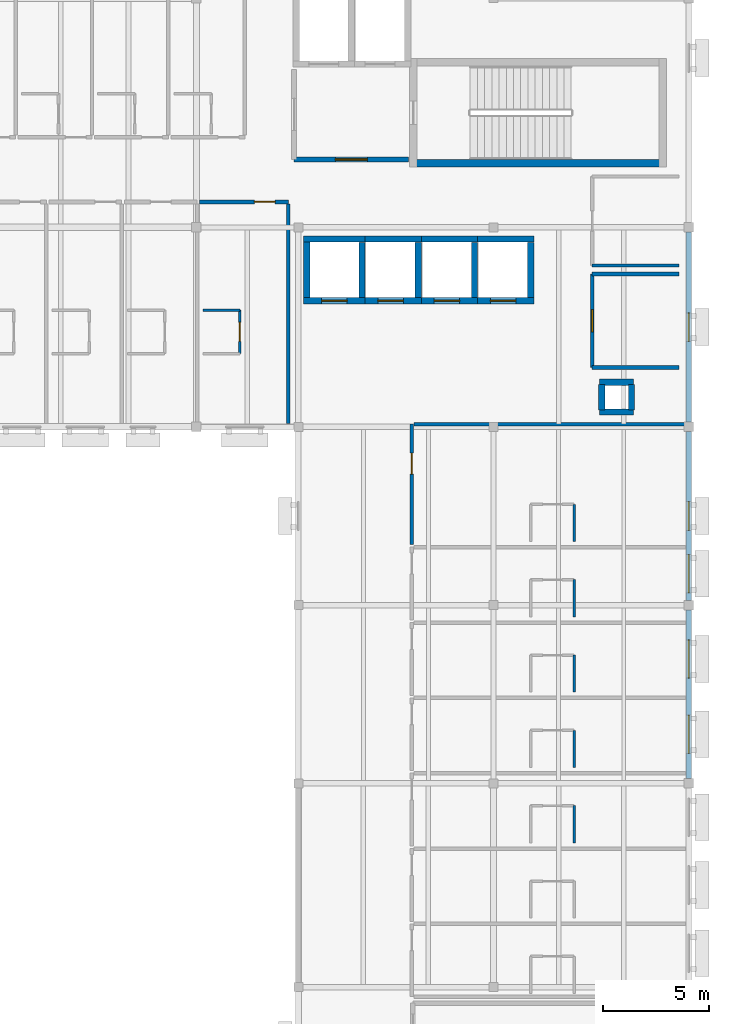
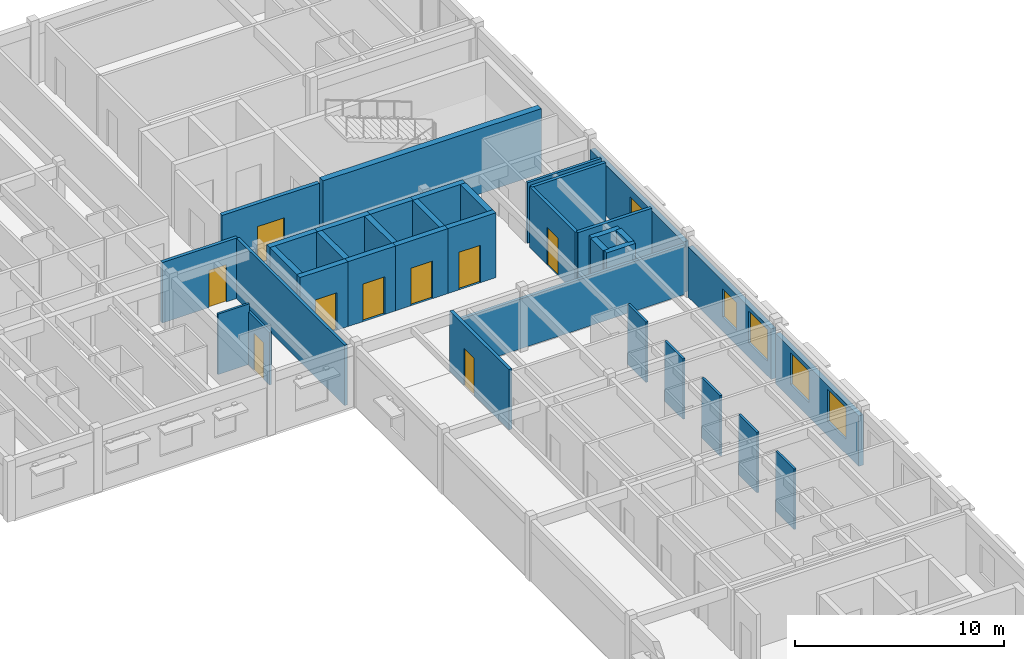
# One storey, part 8 of 14: 37 walls, 9 doors, 5 windows, 14 openings.
"""IFC4 building model written with IfcOpenShell, lengths in metres."""

import ifcopenshell
import ifcopenshell.guid

model = None  # the IFC model being written
_history = None  # IfcOwnerHistory: only IFC2X3 demands one
_inside = {}  # id of a spatial element -> (the spatial element, [elements in it])
_under = {}  # id of a project, library or spatial element -> (it, [spatial elements below it])
_declared = {}  # id of a project -> (the project, [libraries it declares])
_typed = {}  # id of a type object -> (the type object, [elements of that type])
_made_of = {}  # id of a material, layer set ... -> (it, [elements and type objects made of it])


def new_model(schema):
    """Start an empty IFC model of exactly this schema.

    Asked for "IFC4X3", IfcOpenShell would pick the latest addendum, in which some entities
    have other attributes; the version numbers below select the first issue.
    IFC2X3 requires an IfcOwnerHistory on every rooted entity: one is made here for all.
    """
    global model, _history
    if schema == "IFC4X3":
        model = ifcopenshell.file(schema_version=(4, 3, 0, 0))
    else:
        model = ifcopenshell.file(schema=schema)
    _inside.clear()
    _under.clear()
    _declared.clear()
    _typed.clear()
    _made_of.clear()
    _history = None
    if model.schema == "IFC2X3":
        org = make("IfcOrganization", Name="unknown")
        user = make(
            "IfcPersonAndOrganization",
            ThePerson=make("IfcPerson", FamilyName="unknown"),
            TheOrganization=org,
        )
        app = make(
            "IfcApplication",
            ApplicationDeveloper=org,
            Version="unknown",
            ApplicationFullName="unknown",
            ApplicationIdentifier="unknown",
        )
        _history = make(
            "IfcOwnerHistory",
            OwningUser=user,
            OwningApplication=app,
            ChangeAction="ADDED",
            CreationDate=0,
        )
    return model


def make(cls, **values):
    """One entity of the class cls with the attributes given. An attribute that is None is left unset."""
    return model.create_entity(
        cls, **{name: value for name, value in values.items() if value is not None}
    )


def rooted(cls, **values):
    """An entity with a GlobalId (a new one), such as an element, a storey or a relation."""
    return make(cls, GlobalId=ifcopenshell.guid.new(), OwnerHistory=_history, **values)


def si_unit(unit_type, name, prefix=None):
    """IfcSIUnit, for example si_unit("LENGTHUNIT", "METRE", prefix="MILLI")."""
    return make("IfcSIUnit", UnitType=unit_type, Prefix=prefix, Name=name)


def assignment(units):
    """IfcUnitAssignment: the units of a project."""
    return None if units is None else make("IfcUnitAssignment", Units=units)


def point(xyz):
    """IfcCartesianPoint."""
    return None if xyz is None else make("IfcCartesianPoint", Coordinates=xyz)


def direction(xyz):
    """IfcDirection."""
    return None if xyz is None else make("IfcDirection", DirectionRatios=xyz)


def frame(location, z_axis=None, x_axis=None):
    """IfcAxis2Placement3D, a coordinate frame: its origin and axes. An axis left out is left unset."""
    return make(
        "IfcAxis2Placement3D",
        Location=point(location),
        Axis=direction(z_axis),
        RefDirection=direction(x_axis),
    )


def frame_2d(location, x_axis=None):
    """IfcAxis2Placement2D, a coordinate frame in the plane: its origin and x axis."""
    return make(
        "IfcAxis2Placement2D", Location=point(location), RefDirection=direction(x_axis)
    )


def origin():
    """The frame at (0, 0, 0) with its axes left unset."""
    return frame((0.0, 0.0, 0.0))


def place(relative_to, where):
    """IfcLocalPlacement: puts the frame where relative to a parent placement (None: the world)."""
    return make(
        "IfcLocalPlacement", PlacementRelTo=relative_to, RelativePlacement=where
    )


def context(
    kind, dimensions, precision=None, world=None, true_north=None, identifier=None
):
    """IfcGeometricRepresentationContext, for example the 3D "Model" context."""
    return make(
        "IfcGeometricRepresentationContext",
        ContextIdentifier=identifier,
        ContextType=kind,
        CoordinateSpaceDimension=dimensions,
        Precision=precision,
        WorldCoordinateSystem=world,
        TrueNorth=true_north,
    )


def subcontext(parent, identifier, kind, view, scale=None):
    """IfcGeometricRepresentationSubContext, for example "Body" below "Model"."""
    return make(
        "IfcGeometricRepresentationSubContext",
        ContextIdentifier=identifier,
        ContextType=kind,
        ParentContext=parent,
        TargetScale=scale,
        TargetView=view,
    )


def project(units=None, contexts=None):
    """IfcProject with its units and contexts."""
    return rooted(
        "IfcProject",
        Name="project",
        RepresentationContexts=contexts,
        UnitsInContext=assignment(units),
    )


def spatial(cls, under=None, at=None, **own):
    """A site, building, storey or space (cls), placed at a placement, below another one or the project."""
    s = rooted(cls, ObjectPlacement=at, **own)
    if under is not None:
        _under.setdefault(under.id(), (under, []))[1].append(s)
    return s


def profile(cls, at=None, kind="AREA", **sizes):
    """A parametric profile (cls). Its sizes go by their IFC names, for example OverallWidth=200.0."""
    return make(cls, ProfileType=kind, Position=at, **sizes)


def rectangle(**sizes):
    """IfcRectangleProfileDef."""
    return profile("IfcRectangleProfileDef", **sizes)


def extrude(swept, where, along, depth):
    """IfcExtrudedAreaSolid: the profile swept, set in the frame where, extruded along a direction by depth."""
    return make(
        "IfcExtrudedAreaSolid",
        SweptArea=swept,
        Position=where,
        ExtrudedDirection=direction(along),
        Depth=depth,
    )


def shape(context_of_items, identifier, shape_type, items):
    """IfcShapeRepresentation: the items that make up one representation, for example the "Body"."""
    return make(
        "IfcShapeRepresentation",
        ContextOfItems=context_of_items,
        RepresentationIdentifier=identifier,
        RepresentationType=shape_type,
        Items=items,
    )


def material(Name=None, Category=None):
    """IfcMaterial."""
    return make("IfcMaterial", Name=Name, Category=Category)


def layer(
    of_material, thickness, ventilated=None, Name=None, Category=None, Priority=None
):
    """IfcMaterialLayer: one layer of a wall or slab, of a material (None: an air gap)."""
    return make(
        "IfcMaterialLayer",
        Material=of_material,
        LayerThickness=thickness,
        IsVentilated=ventilated,
        Name=Name,
        Category=Category,
        Priority=Priority,
    )


def layer_set(layers, Name=None):
    """IfcMaterialLayerSet."""
    return make("IfcMaterialLayerSet", MaterialLayers=layers, LayerSetName=Name)


def made_of(thing, what):
    """Note that an element or type object is made of a material, layer set ...; save() writes the relation."""
    if what is not None:
        _made_of.setdefault(what.id(), (what, []))[1].append(thing)
    return thing


def type_object(cls, material=None, **own):
    """A type object (cls), such as IfcWallType, which elements share."""
    return made_of(rooted(cls, **own), material)


def element(
    cls,
    number,
    at=None,
    inside=None,
    cuts=None,
    type_object=None,
    material=None,
    context=None,
    identifier="Body",
    shape_type=None,
    held_by="IfcProductDefinitionShape",
    body=None,
    shapes=None,
    **own,
):
    """One element of the class cls, such as IfcWall. Its Tag is "e" and its number.

    at: its placement. inside: the storey or other place that contains it. cuts: it is an
    opening in that element (IfcRelVoidsElement). A single representation is given by context,
    identifier, shape_type and body (its items); several are given by shapes. held_by: the class
    of the entity that holds the representations. save() writes the other relations.
    """
    e = rooted(cls, Tag="e%d" % number, ObjectPlacement=at, **own)
    if body is not None:
        shapes = [shape(context, identifier, shape_type, body)]
    if shapes is not None:
        e.Representation = make(held_by, Representations=shapes)
    if inside is not None:
        _inside.setdefault(inside.id(), (inside, []))[1].append(e)
    if cuts is not None:
        rooted(
            "IfcRelVoidsElement", RelatingBuildingElement=cuts, RelatedOpeningElement=e
        )
    if type_object is not None:
        _typed.setdefault(type_object.id(), (type_object, []))[1].append(e)
    return made_of(e, material)


def fill(opening, filler):
    """IfcRelFillsElement: the door or window that sits in an opening."""
    return rooted(
        "IfcRelFillsElement",
        RelatingOpeningElement=opening,
        RelatedBuildingElement=filler,
    )


def aggregate(whole, parts):
    """IfcRelAggregates: a whole, such as a stair, and the parts it consists of."""
    return rooted("IfcRelAggregates", RelatingObject=whole, RelatedObjects=parts)


def save(model, path):
    """Write the relations noted so far, then the file.

    IfcRelAggregates (storeys below a building ...), IfcRelContainedInSpatialStructure (elements
    in a storey), IfcRelDefinesByType, IfcRelAssociatesMaterial and IfcRelDeclares: one each for
    every whole, place, type object, material and project.
    """
    for whole, parts in _under.values():
        aggregate(whole, parts)
    for where, things in _inside.values():
        rooted(
            "IfcRelContainedInSpatialStructure",
            RelatedElements=things,
            RelatingStructure=where,
        )
    for kind, things in _typed.values():
        rooted("IfcRelDefinesByType", RelatedObjects=things, RelatingType=kind)
    for what, things in _made_of.values():
        rooted("IfcRelAssociatesMaterial", RelatedObjects=things, RelatingMaterial=what)
    for by, libraries in _declared.values():
        rooted("IfcRelDeclares", RelatingContext=by, RelatedDefinitions=libraries)
    model.write(path)


model = new_model("IFC4")

# Units and contexts
model_context = context("Model", 3, precision=1e-05, world=origin(), true_north=direction((0.0, 1.0)))
body_context = subcontext(model_context, "Body", "Model", "MODEL_VIEW")
ifc_project = project(units=[si_unit("LENGTHUNIT", "METRE"), si_unit("AREAUNIT", "SQUARE_METRE"), si_unit("VOLUMEUNIT", "CUBIC_METRE"), si_unit("PLANEANGLEUNIT", "RADIAN"), si_unit("MASSUNIT", "GRAM", prefix="KILO")], contexts=[model_context])

# Site, building, storey
site_placement = place(None, origin())
site = spatial("IfcSite", under=ifc_project, at=site_placement, CompositionType="ELEMENT")
building_placement = place(site_placement, origin())
building = spatial("IfcBuilding", under=site, at=building_placement, Name="Veldera Park Congress Hotel", CompositionType="ELEMENT")
storey_placement = place(building_placement, frame((0.0, 0.0, 42.800048828125)))
storey = spatial("IfcBuildingStorey", under=building, at=storey_placement, Name="L10", CompositionType="ELEMENT", Elevation=42.800048828125)

# Wall, openings, windows
ifc_material_1 = material(Name="Cross-laminated timber CLT V2M1.1", Category="wood")
ifc_layer_1 = layer(ifc_material_1, 0.264892578125)
ifc_layer_set_1 = layer_set([ifc_layer_1], Name="Cross-laminated timber CLT V2M1.1")
wall_type_1 = type_object("IfcWallType", Name="EW-CLT265", PredefinedType="STANDARD", material=ifc_layer_set_1)
wall_1_placement = place(storey_placement, frame((84.0, 10.423095703125, 0.0), z_axis=(0.0, 0.0, 1.0), x_axis=(0.0, 1.0, 0.0)))
wall_1 = element("IfcWall", 1, at=wall_1_placement, inside=storey, type_object=wall_type_1, Name="L10 Exterior Wall EW3-L10-0429", PredefinedType="STANDARD", context=body_context, shape_type="SweptSolid", body=[
    extrude(rectangle(XDim=7.953857421875, YDim=0.264892578125, at=frame_2d((3.97705078125, 0.0))), origin(), (0.0, 0.0, 1.0), 2.954833984375),
])
opening_1_placement = place(wall_1_placement, frame((1.19189453125, 0.0, 0.85009765625)))
opening_1 = element("IfcOpeningElement", 2, at=opening_1_placement, cuts=wall_1, Name="Opening WIN-1800", PredefinedType="OPENING", context=body_context, shape_type="SweptSolid", body=[
    extrude(rectangle(XDim=1.800048828125, YDim=1.85009765625, at=frame_2d((0.89990234375, 0.925048828125))), frame((0.0, 0.14453125, 0.0), z_axis=(0.0, -1.0, 0.0), x_axis=(1.0, 0.0, 0.0)), (0.0, 0.0, 1.0), 0.288818359375),
])
opening_2_placement = place(wall_1_placement, frame((4.741943359375, 0.0, 0.85009765625)))
opening_2 = element("IfcOpeningElement", 3, at=opening_2_placement, cuts=wall_1, Name="Opening WIN-1800", PredefinedType="OPENING", context=body_context, shape_type="SweptSolid", body=[
    extrude(rectangle(XDim=1.800048828125, YDim=1.85009765625, at=frame_2d((0.89990234375, 0.925048828125))), frame((0.0, 0.14453125, 0.0), z_axis=(0.0, -1.0, 0.0), x_axis=(1.0, 0.0, 0.0)), (0.0, 0.0, 1.0), 0.288818359375),
])
ifc_material_2 = material(Name="Low-E Triple Insulating Glass Unit (SHGC 0.22)", Category="glass")
window_type_1 = type_object("IfcWindowType", Name="WIN-1800", PartitioningType="SINGLE_PANEL", PredefinedType="WINDOW", material=ifc_material_2)
window_1_placement = place(opening_1_placement, origin())
window_1 = element("IfcWindow", 4, at=window_1_placement, inside=storey, type_object=window_type_1, Name="L10 Window WIN-1800 584", OverallHeight=1.85009765625, OverallWidth=1.800048828125, PartitioningType="SINGLE_PANEL", PredefinedType="WINDOW", context=body_context, shape_type="SweptSolid", body=[
    extrude(rectangle(XDim=1.800048828125, YDim=1.85009765625, at=frame_2d((0.89990234375, 0.925048828125))), frame((0.0, 0.030029296875, 0.0), z_axis=(0.0, -1.0, 0.0), x_axis=(1.0, 0.0, 0.0)), (0.0, 0.0, 1.0), 0.06005859375),
])
fill(opening_1, window_1)
window_2_placement = place(opening_2_placement, origin())
window_2 = element("IfcWindow", 5, at=window_2_placement, inside=storey, type_object=window_type_1, Name="L10 Window WIN-1800 585", OverallHeight=1.85009765625, OverallWidth=1.800048828125, PartitioningType="SINGLE_PANEL", PredefinedType="WINDOW", context=body_context, shape_type="SweptSolid", body=[
    extrude(rectangle(XDim=1.800048828125, YDim=1.85009765625, at=frame_2d((0.89990234375, 0.925048828125))), frame((0.0, 0.030029296875, 0.0), z_axis=(0.0, -1.0, 0.0), x_axis=(1.0, 0.0, 0.0)), (0.0, 0.0, 1.0), 0.06005859375),
])
fill(opening_2, window_2)

wall_2_placement = place(storey_placement, frame((84.0, 18.822998046875, 0.0), z_axis=(0.0, 0.0, 1.0), x_axis=(0.0, 1.0, 0.0)))
wall_2 = element("IfcWall", 6, at=wall_2_placement, inside=storey, type_object=wall_type_1, Name="L10 Exterior Wall EW3-L10-0430", PredefinedType="STANDARD", context=body_context, shape_type="SweptSolid", body=[
    extrude(rectangle(XDim=7.9541015625, YDim=0.264892578125, at=frame_2d((3.97705078125, 0.0))), origin(), (0.0, 0.0, 1.0), 2.954833984375),
])
opening_3_placement = place(wall_2_placement, frame((3.302001953125, 0.0, 0.85009765625)))
opening_3 = element("IfcOpeningElement", 7, at=opening_3_placement, cuts=wall_2, Name="Opening WIN-1350", PredefinedType="OPENING", context=body_context, shape_type="SweptSolid", body=[
    extrude(rectangle(XDim=1.35009765625, YDim=1.64990234375, at=frame_2d((0.675048828125, 0.824951171875))), frame((0.0, 0.14453125, 0.0), z_axis=(0.0, -1.0, 0.0), x_axis=(1.0, 0.0, 0.0)), (0.0, 0.0, 1.0), 0.288818359375),
])
opening_4_placement = place(wall_2_placement, frame((0.353515625, 0.0, 0.85009765625)))
opening_4 = element("IfcOpeningElement", 8, at=opening_4_placement, cuts=wall_2, Name="Opening WIN-1800", PredefinedType="OPENING", context=body_context, shape_type="SweptSolid", body=[
    extrude(rectangle(XDim=1.800048828125, YDim=1.85009765625, at=frame_2d((0.89990234375, 0.925048828125))), frame((0.0, 0.14453125, 0.0), z_axis=(0.0, -1.0, 0.0), x_axis=(1.0, 0.0, 0.0)), (0.0, 0.0, 1.0), 0.288818359375),
])
window_type_2 = type_object("IfcWindowType", Name="WIN-1350", PartitioningType="SINGLE_PANEL", PredefinedType="WINDOW", material=ifc_material_2)
window_3_placement = place(opening_3_placement, origin())
window_3 = element("IfcWindow", 9, at=window_3_placement, inside=storey, type_object=window_type_2, Name="L10 Window WIN-1350 330", OverallHeight=1.64990234375, OverallWidth=1.35009765625, PartitioningType="SINGLE_PANEL", PredefinedType="WINDOW", context=body_context, shape_type="SweptSolid", body=[
    extrude(rectangle(XDim=1.35009765625, YDim=1.64990234375, at=frame_2d((0.675048828125, 0.824951171875))), frame((0.0, 0.030029296875, 0.0), z_axis=(0.0, -1.0, 0.0), x_axis=(1.0, 0.0, 0.0)), (0.0, 0.0, 1.0), 0.06005859375),
])
fill(opening_3, window_3)
window_4_placement = place(opening_4_placement, origin())
window_4 = element("IfcWindow", 10, at=window_4_placement, inside=storey, type_object=window_type_1, Name="L10 Window WIN-1800 586", OverallHeight=1.85009765625, OverallWidth=1.800048828125, PartitioningType="SINGLE_PANEL", PredefinedType="WINDOW", context=body_context, shape_type="SweptSolid", body=[
    extrude(rectangle(XDim=1.800048828125, YDim=1.85009765625, at=frame_2d((0.89990234375, 0.925048828125))), frame((0.0, 0.030029296875, 0.0), z_axis=(0.0, -1.0, 0.0), x_axis=(1.0, 0.0, 0.0)), (0.0, 0.0, 1.0), 0.06005859375),
])
fill(opening_4, window_4)

# Wall, opening, window
wall_3_placement = place(storey_placement, frame((84.0, 27.222900390625, 0.0), z_axis=(0.0, 0.0, 1.0), x_axis=(0.0, 1.0, 0.0)))
wall_3 = element("IfcWall", 11, at=wall_3_placement, inside=storey, type_object=wall_type_1, Name="L10 Exterior Wall EW3-L10-0431", PredefinedType="STANDARD", context=body_context, shape_type="SweptSolid", body=[
    extrude(rectangle(XDim=8.9541015625, YDim=0.264892578125, at=frame_2d((4.47705078125, 0.0))), origin(), (0.0, 0.0, 1.0), 2.954833984375),
])
opening_5_placement = place(wall_3_placement, frame((3.802001953125, 0.0, 0.85009765625)))
opening_5 = element("IfcOpeningElement", 12, at=opening_5_placement, cuts=wall_3, Name="Opening WIN-1350", PredefinedType="OPENING", context=body_context, shape_type="SweptSolid", body=[
    extrude(rectangle(XDim=1.35009765625, YDim=1.64990234375, at=frame_2d((0.675048828125, 0.824951171875))), frame((0.0, 0.14453125, 0.0), z_axis=(0.0, -1.0, 0.0), x_axis=(1.0, 0.0, 0.0)), (0.0, 0.0, 1.0), 0.288818359375),
])
window_5_placement = place(opening_5_placement, origin())
window_5 = element("IfcWindow", 13, at=window_5_placement, inside=storey, type_object=window_type_2, Name="L10 Window WIN-1350 331", OverallHeight=1.64990234375, OverallWidth=1.35009765625, PartitioningType="SINGLE_PANEL", PredefinedType="WINDOW", context=body_context, shape_type="SweptSolid", body=[
    extrude(rectangle(XDim=1.35009765625, YDim=1.64990234375, at=frame_2d((0.675048828125, 0.824951171875))), frame((0.0, 0.030029296875, 0.0), z_axis=(0.0, -1.0, 0.0), x_axis=(1.0, 0.0, 0.0)), (0.0, 0.0, 1.0), 0.06005859375),
])
fill(opening_5, window_5)

# Walls
ifc_material_3 = material(Name="Fire-Rated Gypsum Board on Cold-Formed Steel Studs", Category="steel")
ifc_layer_2 = layer(ifc_material_3, 0.1201171875)
ifc_layer_set_2 = layer_set([ifc_layer_2], Name="Fire-Rated Gypsum Board on Cold-Formed Steel Studs")
wall_type_2 = type_object("IfcWallType", Name="IW-BATH120", PredefinedType="PARTITIONING", material=ifc_layer_set_2)
for number, where, z_axis, x_axis, name in (
    (14, (78.60009765625, 7.39990234375, 0.0), (0.0, 0.0, 1.0), (0.0, 1.0, 0.0), "L10 Partition Wall IW3-L10-01718"),
    (15, (78.60009765625, 10.949951171875, 0.0), (0.0, 0.0, 1.0), (0.0, 1.0, 0.0), "L10 Partition Wall IW3-L10-01723"),
    (16, (78.60009765625, 14.5, 0.0), (0.0, 0.0, 1.0), (0.0, 1.0, 0.0), "L10 Partition Wall IW3-L10-01728"),
    (17, (78.60009765625, 18.050048828125, 0.0), (0.0, 0.0, 1.0), (0.0, 1.0, 0.0), "L10 Partition Wall IW3-L10-01733"),
    (18, (78.60009765625, 21.60009765625, 0.0), (0.0, 0.0, 1.0), (0.0, 1.0, 0.0), "L10 Partition Wall IW3-L10-01738"),
    (19, (61.10009765625, 32.5, 0.0), (0.0, 0.0, 1.0), (1.0, 0.0, 0.0), "L10 Partition Wall IW3-L10-01763"),
):
    element("IfcWall", number, at=place(storey_placement, frame(where, z_axis=z_axis, x_axis=x_axis)), inside=storey, type_object=wall_type_2, Name=name, PredefinedType="PARTITIONING", context=body_context, shape_type="SweptSolid", body=[
        extrude(rectangle(XDim=1.75, YDim=0.1201171875, at=frame_2d((0.875, 0.0))), origin(), (0.0, 0.0, 1.0), 3.5400390625),
    ])

# Wall, opening, door
wall_4_placement = place(storey_placement, frame((62.85009765625, 30.449951171875, 0.0), z_axis=(0.0, 0.0, 1.0), x_axis=(0.0, 1.0, 0.0)))
wall_4 = element("IfcWall", 20, at=wall_4_placement, inside=storey, type_object=wall_type_2, Name="L10 Partition Wall IW3-L10-01764", PredefinedType="PARTITIONING", context=body_context, shape_type="SweptSolid", body=[
    extrude(rectangle(XDim=2.050048828125, YDim=0.1201171875, at=frame_2d((1.02490234375, 0.0))), origin(), (0.0, 0.0, 1.0), 3.0849609375),
])
opening_6_placement = place(wall_4_placement, frame((0.574951171875, 0.0, 0.0)))
opening_6 = element("IfcOpeningElement", 21, at=opening_6_placement, cuts=wall_4, Name="Opening ID-BATH090", PredefinedType="OPENING", context=body_context, shape_type="SweptSolid", body=[
    extrude(rectangle(XDim=0.89990234375, YDim=2.14990234375, at=frame_2d((0.449951171875, 1.074951171875))), frame((0.0, 0.072021484375, 0.0), z_axis=(0.0, -1.0, 0.0), x_axis=(1.0, 0.0, 0.0)), (0.0, 0.0, 1.0), 0.14404296875),
])
ifc_material_4 = material(Name="Solid Core White Oak Architectural Door", Category="wood")
door_type_1 = type_object("IfcDoorType", Name="ID-BATH090", OperationType="NOTDEFINED", PredefinedType="DOOR", material=ifc_material_4)
door_1_placement = place(opening_6_placement, origin())
door_1 = element("IfcDoor", 22, at=door_1_placement, inside=storey, type_object=door_type_1, Name="L10 En-suite 292 Door ID3-L10-0723 (DR3-ID3-L10-0723)", OperationType="SINGLE_SWING_LEFT", OverallHeight=2.14990234375, OverallWidth=0.89990234375, PredefinedType="DOOR", context=body_context, shape_type="SweptSolid", body=[
    extrude(rectangle(XDim=0.89990234375, YDim=2.14990234375, at=frame_2d((0.449951171875, 1.074951171875))), frame((0.0, 0.02490234375, 0.0), z_axis=(0.0, -1.0, 0.0), x_axis=(1.0, 0.0, 0.0)), (0.0, 0.0, 1.0), 0.050048828125),
])
fill(opening_6, door_1)

# Walls
ifc_layer_3 = layer(ifc_material_3, 0.179931640625)
ifc_layer_set_3 = layer_set([ifc_layer_3], Name="Fire-Rated Gypsum Board on Cold-Formed Steel Studs")
wall_type_3 = type_object("IfcWallType", Name="IW-CORR180", PredefinedType="PARTITIONING", material=ifc_layer_set_3)
for number, where, z_axis, x_axis, name in (
    (23, (79.449951171875, 29.800048828125, 0.0), (0.0, 0.0, 1.0), (1.0, 0.0, 0.0), "L10 Partition Wall IW3-L10-00337"),
    (24, (83.550048828125, 34.199951171875, 0.0), (0.0, 0.0, 1.0), (-1.0, 0.0, 0.0), "L10 Partition Wall IW3-L10-00338"),
):
    element("IfcWall", number, at=place(storey_placement, frame(where, z_axis=z_axis, x_axis=x_axis)), inside=storey, type_object=wall_type_3, Name=name, PredefinedType="PARTITIONING", context=body_context, shape_type="SweptSolid", body=[
        extrude(rectangle(XDim=4.10009765625, YDim=0.179931640625, at=frame_2d((2.050048828125, 0.0))), origin(), (0.0, 0.0, 1.0), 3.5400390625),
    ])

# Wall, opening, door
wall_5_placement = place(storey_placement, frame((79.449951171875, 34.199951171875, 0.0), z_axis=(0.0, 0.0, 1.0), x_axis=(0.0, -1.0, 0.0)))
wall_5 = element("IfcWall", 25, at=wall_5_placement, inside=storey, type_object=wall_type_3, Name="L10 Partition Wall IW3-L10-00339", PredefinedType="PARTITIONING", context=body_context, shape_type="SweptSolid", body=[
    extrude(rectangle(XDim=4.39990234375, YDim=0.179931640625, at=frame_2d((2.199951171875, 0.0))), origin(), (0.0, 0.0, 1.0), 3.5400390625),
])
opening_7_placement = place(wall_5_placement, frame((1.675048828125, 0.0, 0.0)))
opening_7 = element("IfcOpeningElement", 26, at=opening_7_placement, cuts=wall_5, Name="Opening ID-MEET105", PredefinedType="OPENING", context=body_context, shape_type="SweptSolid", body=[
    extrude(rectangle(XDim=1.050048828125, YDim=2.199951171875, at=frame_2d((0.52490234375, 1.10009765625))), frame((0.0, 0.10205078125, 0.0), z_axis=(0.0, -1.0, 0.0), x_axis=(1.0, 0.0, 0.0)), (0.0, 0.0, 1.0), 0.203857421875),
])
door_type_2 = type_object("IfcDoorType", Name="ID-MEET105", OperationType="NOTDEFINED", PredefinedType="DOOR", material=ifc_material_4)
door_2_placement = place(opening_7_placement, origin())
door_2 = element("IfcDoor", 27, at=door_2_placement, inside=storey, type_object=door_type_2, Name="L10 L10 Housekeeping and Linen Store Door ID3-L10-0128 (DR3-ID3-L10-0128)", OperationType="SINGLE_SWING_LEFT", OverallHeight=2.199951171875, OverallWidth=1.050048828125, PredefinedType="DOOR", context=body_context, shape_type="SweptSolid", body=[
    extrude(rectangle(XDim=1.050048828125, YDim=2.199951171875, at=frame_2d((0.52490234375, 1.10009765625))), frame((0.0, 0.02490234375, 0.0), z_axis=(0.0, -1.0, 0.0), x_axis=(1.0, 0.0, 0.0)), (0.0, 0.0, 1.0), 0.050048828125),
])
fill(opening_7, door_2)

wall_6_placement = place(storey_placement, frame((70.949951171875, 27.1298828125, 0.0), z_axis=(0.0, 0.0, 1.0), x_axis=(0.0, -1.0, 0.0)))
wall_6 = element("IfcWall", 28, at=wall_6_placement, inside=storey, type_object=wall_type_3, Name="L10 Corridor Wall IW3-L10-01735", PredefinedType="PARTITIONING", context=body_context, shape_type="SweptSolid", body=[
    extrude(rectangle(XDim=5.679931640625, YDim=0.179931640625, at=frame_2d((2.83984375, 0.0))), origin(), (0.0, 0.0, 1.0), 3.5400390625),
])
opening_8_placement = place(wall_6_placement, frame((1.3701171875, 0.0, 0.0)))
opening_8 = element("IfcOpeningElement", 29, at=opening_8_placement, cuts=wall_6, Name="Opening ID-UNIT098", PredefinedType="OPENING", context=body_context, shape_type="SweptSolid", body=[
    extrude(rectangle(XDim=0.97998046875, YDim=2.179931640625, at=frame_2d((0.489990234375, 1.08984375))), frame((0.0, 0.10205078125, 0.0), z_axis=(0.0, -1.0, 0.0), x_axis=(1.0, 0.0, 0.0)), (0.0, 0.0, 1.0), 0.203857421875),
])
door_type_3 = type_object("IfcDoorType", Name="ID-UNIT098", OperationType="NOTDEFINED", PredefinedType="DOOR", material=ifc_material_4)
door_3_placement = place(opening_8_placement, origin())
door_3 = element("IfcDoor", 30, at=door_3_placement, inside=storey, type_object=door_type_3, Name="L10 Guestroom 287 Entry Door (DR3-UD3-L10-287)", OperationType="SINGLE_SWING_RIGHT", OverallHeight=2.179931640625, OverallWidth=0.97998046875, PredefinedType="DOOR", context=body_context, shape_type="SweptSolid", body=[
    extrude(rectangle(XDim=0.97998046875, YDim=2.179931640625, at=frame_2d((0.489990234375, 1.08984375))), frame((0.0, 0.02490234375, 0.0), z_axis=(0.0, -1.0, 0.0), x_axis=(1.0, 0.0, 0.0)), (0.0, 0.0, 1.0), 0.050048828125),
])
fill(opening_8, door_3)

wall_7_placement = place(storey_placement, frame((65.1298828125, 37.60009765625, 0.0), z_axis=(0.0, 0.0, 1.0), x_axis=(-1.0, 0.0, 0.0)))
wall_7 = element("IfcWall", 31, at=wall_7_placement, inside=storey, type_object=wall_type_3, Name="L10 Corridor Wall IW3-L10-01761", PredefinedType="PARTITIONING", context=body_context, shape_type="SweptSolid", body=[
    extrude(rectangle(XDim=4.179931640625, YDim=0.179931640625, at=frame_2d((2.08984375, 0.0))), origin(), (0.0, 0.0, 1.0), 3.5400390625),
])
opening_9_placement = place(wall_7_placement, frame((0.6201171875, 0.0, 0.0)))
opening_9 = element("IfcOpeningElement", 32, at=opening_9_placement, cuts=wall_7, Name="Opening ID-UNIT098", PredefinedType="OPENING", context=body_context, shape_type="SweptSolid", body=[
    extrude(rectangle(XDim=0.97998046875, YDim=2.179931640625, at=frame_2d((0.489990234375, 1.08984375))), frame((0.0, 0.10205078125, 0.0), z_axis=(0.0, -1.0, 0.0), x_axis=(1.0, 0.0, 0.0)), (0.0, 0.0, 1.0), 0.203857421875),
])
door_4_placement = place(opening_9_placement, frame((0.97998046875, 0.0, 0.0), z_axis=(0.0, 0.0, 1.0), x_axis=(-1.0, 0.0, 0.0)))
door_4 = element("IfcDoor", 33, at=door_4_placement, inside=storey, type_object=door_type_3, Name="L10 Guestroom 292 Entry Door (DR3-UD3-L10-292)", OperationType="SINGLE_SWING_RIGHT", OverallHeight=2.179931640625, OverallWidth=0.97998046875, PredefinedType="DOOR", context=body_context, shape_type="SweptSolid", body=[
    extrude(rectangle(XDim=0.97998046875, YDim=2.179931640625, at=frame_2d((0.489990234375, 1.08984375))), frame((0.0, 0.02490234375, 0.0), z_axis=(0.0, -1.0, 0.0), x_axis=(1.0, 0.0, 0.0)), (0.0, 0.0, 1.0), 0.050048828125),
])
fill(opening_9, door_4)

ifc_material_5 = material(Name="Concrete f'c 40 MPa (5,800 psi)", Category="concrete")
ifc_layer_4 = layer(ifc_material_5, 0.219970703125)
ifc_layer_set_4 = layer_set([ifc_layer_4], Name="Concrete f'c 40 MPa (5,800 psi)")
wall_type_4 = type_object("IfcWallType", Name="IW-FIRE220", PredefinedType="STANDARD", material=ifc_layer_set_4)
wall_8_placement = place(storey_placement, frame((65.39990234375, 39.60009765625, 0.0), z_axis=(0.0, 0.0, 1.0), x_axis=(1.0, 0.0, 0.0)))
wall_8 = element("IfcWall", 34, at=wall_8_placement, inside=storey, type_object=wall_type_4, Name="L10 Partition Wall IW3-L10-00332", PredefinedType="STANDARD", context=body_context, shape_type="SweptSolid", body=[
    extrude(rectangle(XDim=5.400146484375, YDim=0.219970703125, at=frame_2d((2.7001953125, 0.0))), origin(), (0.0, 0.0, 1.0), 3.5400390625),
])
opening_10_placement = place(wall_8_placement, frame((1.949951171875, 0.0, 0.0)))
opening_10 = element("IfcOpeningElement", 35, at=opening_10_placement, cuts=wall_8, Name="Opening ID-LOB150", PredefinedType="OPENING", context=body_context, shape_type="SweptSolid", body=[
    extrude(rectangle(XDim=1.5, YDim=2.199951171875, at=frame_2d((0.75, 1.10009765625))), frame((0.0, 0.1220703125, 0.0), z_axis=(0.0, -1.0, 0.0), x_axis=(1.0, 0.0, 0.0)), (0.0, 0.0, 1.0), 0.243896484375),
])
ifc_material_6 = material(Name="Hollow Metal Fire-Rated Steel Door", Category="steel")
door_type_4 = type_object("IfcDoorType", Name="ID-LOB150", OperationType="DOUBLE_DOOR_SINGLE_SWING", PredefinedType="DOOR", material=ifc_material_6)
door_5_placement = place(opening_10_placement, origin())
door_5 = element("IfcDoor", 36, at=door_5_placement, inside=storey, type_object=door_type_4, Name="L10 Firefighting Lobby Door ID3-L10-0125 (DR3-ID3-L10-0125)", OperationType="DOUBLE_DOOR_SINGLE_SWING", OverallHeight=2.199951171875, OverallWidth=1.5, PredefinedType="DOOR", context=body_context, shape_type="SweptSolid", body=[
    extrude(rectangle(XDim=1.5, YDim=2.199951171875, at=frame_2d((0.75, 1.10009765625))), frame((0.0, 0.02490234375, 0.0), z_axis=(0.0, -1.0, 0.0), x_axis=(1.0, 0.0, 0.0)), (0.0, 0.0, 1.0), 0.050048828125),
])
fill(opening_10, door_5)

# Walls
ifc_layer_5 = layer(ifc_material_3, 0.14990234375)
ifc_layer_set_5 = layer_set([ifc_layer_5], Name="Fire-Rated Gypsum Board on Cold-Formed Steel Studs")
wall_type_5 = type_object("IfcWallType", Name="IW-PLMB150", PredefinedType="PLUMBINGWALL", material=ifc_layer_set_5)
wall_9_placement = place(storey_placement, frame((79.449951171875, 34.60009765625, 0.0), z_axis=(0.0, 0.0, 1.0), x_axis=(1.0, 0.0, 0.0)))
element("IfcWall", 37, at=wall_9_placement, inside=storey, type_object=wall_type_5, Name="L10 Partition Wall IW3-L10-00340", PredefinedType="PLUMBINGWALL", context=body_context, shape_type="SweptSolid", body=[
    extrude(rectangle(XDim=4.10009765625, YDim=0.14990234375, at=frame_2d((2.050048828125, 0.0))), origin(), (0.0, 0.0, 1.0), 3.5400390625),
])
ifc_layer_6 = layer(ifc_material_1, 0.159912109375)
ifc_layer_set_6 = layer_set([ifc_layer_6], Name="Cross-laminated timber CLT V2M1.1")
wall_type_6 = type_object("IfcWallType", Name="IW-UNIT160", PredefinedType="PARTITIONING", material=ifc_layer_set_6)
wall_10_placement = place(storey_placement, frame((71.050048828125, 27.1298828125, 0.0), z_axis=(0.0, 0.0, 1.0), x_axis=(1.0, 0.0, 0.0)))
element("IfcWall", 38, at=wall_10_placement, inside=storey, type_object=wall_type_6, Name="L10 Partition Wall IW3-L10-01736", PredefinedType="PARTITIONING", context=body_context, shape_type="SweptSolid", body=[
    extrude(rectangle(XDim=12.7900390625, YDim=0.159912109375, at=frame_2d((6.39501953125, 0.0))), origin(), (0.0, 0.0, 1.0), 2.9150390625),
])
wall_11_placement = place(storey_placement, frame((65.1298828125, 27.159912109375, 0.0), z_axis=(0.0, 0.0, 1.0), x_axis=(0.0, 1.0, 0.0)))
element("IfcWall", 39, at=wall_11_placement, inside=storey, type_object=wall_type_6, Name="L10 Partition Wall IW3-L10-01762", PredefinedType="PARTITIONING", context=body_context, shape_type="SweptSolid", body=[
    extrude(rectangle(XDim=10.340087890625, YDim=0.159912109375, at=frame_2d((5.169921875, 0.0))), origin(), (0.0, 0.0, 1.0), 3.5400390625),
])
ifc_layer_7 = layer(ifc_material_5, 0.35009765625)
ifc_layer_set_7 = layer_set([ifc_layer_7], Name="Concrete f'c 40 MPa (5,800 psi)")
wall_type_7 = type_object("IfcWallType", Name="SW-CORE350", PredefinedType="SHEAR", material=ifc_layer_set_7)
wall_12_placement = place(storey_placement, frame((70.85009765625, 39.425048828125, 0.0), z_axis=(0.0, 0.0, 1.0), x_axis=(1.0, 0.0, 0.0)))
element("IfcWall", 40, at=wall_12_placement, inside=storey, type_object=wall_type_7, Name="Stair ST1 Core Wall L10-S", PredefinedType="SHEAR", context=body_context, shape_type="SweptSolid", body=[
    extrude(rectangle(XDim=12.099853515625, YDim=0.35009765625, at=frame_2d((6.0498046875, 0.0))), origin(), (0.0, 0.0, 1.0), 3.800048828125),
])
ifc_layer_8 = layer(ifc_material_5, 0.300048828125)
ifc_layer_set_8 = layer_set([ifc_layer_8], Name="Concrete f'c 40 MPa (5,800 psi)")
wall_type_8 = type_object("IfcWallType", Name="SW-SHFT300", PredefinedType="SHEAR", material=ifc_layer_set_8)
for number, where, z_axis, x_axis, name in (
    (41, (79.800048828125, 27.699951171875, 0.0), (0.0, 0.0, 1.0), (1.0, 0.0, 0.0), "MEP Riser Shaft Wall L10-S"),
    (42, (81.39990234375, 29.10009765625, 0.0), (0.0, 0.0, 1.0), (-1.0, 0.0, 0.0), "MEP Riser Shaft Wall L10-N"),
):
    element("IfcWall", number, at=place(storey_placement, frame(where, z_axis=z_axis, x_axis=x_axis)), inside=storey, type_object=wall_type_8, Name=name, PredefinedType="SHEAR", context=body_context, shape_type="SweptSolid", body=[
        extrude(rectangle(XDim=1.599853515625, YDim=0.300048828125, at=frame_2d((0.7998046875, 0.0))), origin(), (0.0, 0.0, 1.0), 3.5400390625),
    ])
for number, where, z_axis, x_axis, name in (
    (43, (79.89990234375, 29.0, 0.0), (0.0, 0.0, 1.0), (0.0, -1.0, 0.0), "MEP Riser Shaft Wall L10-W"),
    (44, (81.300048828125, 27.800048828125, 0.0), (0.0, 0.0, 1.0), (0.0, 1.0, 0.0), "MEP Riser Shaft Wall L10-E"),
):
    element("IfcWall", number, at=place(storey_placement, frame(where, z_axis=z_axis, x_axis=x_axis)), inside=storey, type_object=wall_type_8, Name=name, PredefinedType="SHEAR", context=body_context, shape_type="SweptSolid", body=[
        extrude(rectangle(XDim=1.199951171875, YDim=0.300048828125, at=frame_2d((0.60009765625, 0.0))), origin(), (0.0, 0.0, 1.0), 3.5400390625),
    ])

# Wall, opening, door
wall_13_placement = place(storey_placement, frame((65.85009765625, 32.949951171875, 0.0), z_axis=(0.0, 0.0, 1.0), x_axis=(1.0, 0.0, 0.0)))
wall_13 = element("IfcWall", 45, at=wall_13_placement, inside=storey, type_object=wall_type_8, Name="Lift PL-01 Shaft Wall L10-S", PredefinedType="SHEAR", context=body_context, shape_type="SweptSolid", body=[
    extrude(rectangle(XDim=2.89990234375, YDim=0.300048828125, at=frame_2d((1.449951171875, 0.0))), origin(), (0.0, 0.0, 1.0), 3.800048828125),
])
opening_11_placement = place(wall_13_placement, frame((0.85009765625, 0.0, 0.0)))
opening_11 = element("IfcOpeningElement", 46, at=opening_11_placement, cuts=wall_13, Name="Opening LD-120", PredefinedType="OPENING", context=body_context, shape_type="SweptSolid", body=[
    extrude(rectangle(XDim=1.199951171875, YDim=2.199951171875, at=frame_2d((0.60009765625, 1.10009765625))), frame((0.0, 0.162109375, 0.0), z_axis=(0.0, -1.0, 0.0), x_axis=(1.0, 0.0, 0.0)), (0.0, 0.0, 1.0), 0.323974609375),
])
door_type_5 = type_object("IfcDoorType", Name="LD-120", OperationType="DOUBLE_DOOR_SLIDING", PredefinedType="DOOR", material=ifc_material_6)
door_6_placement = place(opening_11_placement, origin())
door_6 = element("IfcDoor", 47, at=door_6_placement, inside=storey, type_object=door_type_5, Name="L10 Lift PL-01 Landing Door (DR3-LD-PL-01-L10)", OperationType="DOUBLE_DOOR_SLIDING", OverallHeight=2.199951171875, OverallWidth=1.199951171875, PredefinedType="DOOR", context=body_context, shape_type="SweptSolid", body=[
    extrude(rectangle(XDim=1.199951171875, YDim=2.199951171875, at=frame_2d((0.60009765625, 1.10009765625))), frame((0.0, 0.02490234375, 0.0), z_axis=(0.0, -1.0, 0.0), x_axis=(1.0, 0.0, 0.0)), (0.0, 0.0, 1.0), 0.050048828125),
])
fill(opening_11, door_6)

# Walls
wall_14_placement = place(storey_placement, frame((68.75, 35.85009765625, 0.0), z_axis=(0.0, 0.0, 1.0), x_axis=(-1.0, 0.0, 0.0)))
element("IfcWall", 48, at=wall_14_placement, inside=storey, type_object=wall_type_8, Name="Lift PL-01 Shaft Wall L10-N", PredefinedType="SHEAR", context=body_context, shape_type="SweptSolid", body=[
    extrude(rectangle(XDim=2.89990234375, YDim=0.300048828125, at=frame_2d((1.449951171875, 0.0))), origin(), (0.0, 0.0, 1.0), 3.800048828125),
])
for number, where, z_axis, x_axis, name in (
    (49, (68.60009765625, 33.10009765625, 0.0), (0.0, 0.0, 1.0), (0.0, 1.0, 0.0), "Lift PL-01 Shaft Wall L10-E"),
    (50, (66.0, 35.699951171875, 0.0), (0.0, 0.0, 1.0), (0.0, -1.0, 0.0), "Lift PL-01 Shaft Wall L10-W"),
):
    element("IfcWall", number, at=place(storey_placement, frame(where, z_axis=z_axis, x_axis=x_axis)), inside=storey, type_object=wall_type_8, Name=name, PredefinedType="SHEAR", context=body_context, shape_type="SweptSolid", body=[
        extrude(rectangle(XDim=2.599853515625, YDim=0.300048828125, at=frame_2d((1.2998046875, 0.0))), origin(), (0.0, 0.0, 1.0), 3.800048828125),
    ])

# Wall, opening, door
wall_15_placement = place(storey_placement, frame((68.5, 32.949951171875, 0.0), z_axis=(0.0, 0.0, 1.0), x_axis=(1.0, 0.0, 0.0)))
wall_15 = element("IfcWall", 51, at=wall_15_placement, inside=storey, type_object=wall_type_8, Name="Lift PL-02 Shaft Wall L10-S", PredefinedType="SHEAR", context=body_context, shape_type="SweptSolid", body=[
    extrude(rectangle(XDim=2.89990234375, YDim=0.300048828125, at=frame_2d((1.449951171875, 0.0))), origin(), (0.0, 0.0, 1.0), 3.800048828125),
])
opening_12_placement = place(wall_15_placement, frame((0.85009765625, 0.0, 0.0)))
opening_12 = element("IfcOpeningElement", 52, at=opening_12_placement, cuts=wall_15, Name="Opening LD-120", PredefinedType="OPENING", context=body_context, shape_type="SweptSolid", body=[
    extrude(rectangle(XDim=1.199951171875, YDim=2.199951171875, at=frame_2d((0.60009765625, 1.10009765625))), frame((0.0, 0.162109375, 0.0), z_axis=(0.0, -1.0, 0.0), x_axis=(1.0, 0.0, 0.0)), (0.0, 0.0, 1.0), 0.323974609375),
])
door_7_placement = place(opening_12_placement, origin())
door_7 = element("IfcDoor", 53, at=door_7_placement, inside=storey, type_object=door_type_5, Name="L10 Lift PL-02 Landing Door (DR3-LD-PL-02-L10)", OperationType="DOUBLE_DOOR_SLIDING", OverallHeight=2.199951171875, OverallWidth=1.199951171875, PredefinedType="DOOR", context=body_context, shape_type="SweptSolid", body=[
    extrude(rectangle(XDim=1.199951171875, YDim=2.199951171875, at=frame_2d((0.60009765625, 1.10009765625))), frame((0.0, 0.02490234375, 0.0), z_axis=(0.0, -1.0, 0.0), x_axis=(1.0, 0.0, 0.0)), (0.0, 0.0, 1.0), 0.050048828125),
])
fill(opening_12, door_7)

# Walls
wall_16_placement = place(storey_placement, frame((71.39990234375, 35.85009765625, 0.0), z_axis=(0.0, 0.0, 1.0), x_axis=(-1.0, 0.0, 0.0)))
element("IfcWall", 54, at=wall_16_placement, inside=storey, type_object=wall_type_8, Name="Lift PL-02 Shaft Wall L10-N", PredefinedType="SHEAR", context=body_context, shape_type="SweptSolid", body=[
    extrude(rectangle(XDim=2.89990234375, YDim=0.300048828125, at=frame_2d((1.449951171875, 0.0))), origin(), (0.0, 0.0, 1.0), 3.800048828125),
])
wall_17_placement = place(storey_placement, frame((71.25, 33.10009765625, 0.0), z_axis=(0.0, 0.0, 1.0), x_axis=(0.0, 1.0, 0.0)))
element("IfcWall", 55, at=wall_17_placement, inside=storey, type_object=wall_type_8, Name="Lift PL-02 Shaft Wall L10-E", PredefinedType="SHEAR", context=body_context, shape_type="SweptSolid", body=[
    extrude(rectangle(XDim=2.599853515625, YDim=0.300048828125, at=frame_2d((1.2998046875, 0.0))), origin(), (0.0, 0.0, 1.0), 3.800048828125),
])

# Wall, opening, door
wall_18_placement = place(storey_placement, frame((71.14990234375, 32.949951171875, 0.0), z_axis=(0.0, 0.0, 1.0), x_axis=(1.0, 0.0, 0.0)))
wall_18 = element("IfcWall", 56, at=wall_18_placement, inside=storey, type_object=wall_type_8, Name="Lift PL-03 Shaft Wall L10-S", PredefinedType="SHEAR", context=body_context, shape_type="SweptSolid", body=[
    extrude(rectangle(XDim=2.900146484375, YDim=0.300048828125, at=frame_2d((1.4501953125, 0.0))), origin(), (0.0, 0.0, 1.0), 3.800048828125),
])
opening_13_placement = place(wall_18_placement, frame((0.85009765625, 0.0, 0.0)))
opening_13 = element("IfcOpeningElement", 57, at=opening_13_placement, cuts=wall_18, Name="Opening LD-120", PredefinedType="OPENING", context=body_context, shape_type="SweptSolid", body=[
    extrude(rectangle(XDim=1.199951171875, YDim=2.199951171875, at=frame_2d((0.60009765625, 1.10009765625))), frame((0.0, 0.162109375, 0.0), z_axis=(0.0, -1.0, 0.0), x_axis=(1.0, 0.0, 0.0)), (0.0, 0.0, 1.0), 0.323974609375),
])
door_8_placement = place(opening_13_placement, origin())
door_8 = element("IfcDoor", 58, at=door_8_placement, inside=storey, type_object=door_type_5, Name="L10 Lift PL-03 Landing Door (DR3-LD-PL-03-L10)", OperationType="DOUBLE_DOOR_SLIDING", OverallHeight=2.199951171875, OverallWidth=1.199951171875, PredefinedType="DOOR", context=body_context, shape_type="SweptSolid", body=[
    extrude(rectangle(XDim=1.199951171875, YDim=2.199951171875, at=frame_2d((0.60009765625, 1.10009765625))), frame((0.0, 0.02490234375, 0.0), z_axis=(0.0, -1.0, 0.0), x_axis=(1.0, 0.0, 0.0)), (0.0, 0.0, 1.0), 0.050048828125),
])
fill(opening_13, door_8)

# Walls
wall_19_placement = place(storey_placement, frame((74.050048828125, 35.85009765625, 0.0), z_axis=(0.0, 0.0, 1.0), x_axis=(-1.0, 0.0, 0.0)))
element("IfcWall", 59, at=wall_19_placement, inside=storey, type_object=wall_type_8, Name="Lift PL-03 Shaft Wall L10-N", PredefinedType="SHEAR", context=body_context, shape_type="SweptSolid", body=[
    extrude(rectangle(XDim=2.900146484375, YDim=0.300048828125, at=frame_2d((1.4501953125, 0.0))), origin(), (0.0, 0.0, 1.0), 3.800048828125),
])
wall_20_placement = place(storey_placement, frame((73.89990234375, 33.10009765625, 0.0), z_axis=(0.0, 0.0, 1.0), x_axis=(0.0, 1.0, 0.0)))
element("IfcWall", 60, at=wall_20_placement, inside=storey, type_object=wall_type_8, Name="Lift PL-03 Shaft Wall L10-E", PredefinedType="SHEAR", context=body_context, shape_type="SweptSolid", body=[
    extrude(rectangle(XDim=2.599853515625, YDim=0.300048828125, at=frame_2d((1.2998046875, 0.0))), origin(), (0.0, 0.0, 1.0), 3.800048828125),
])

# Wall, opening, door
wall_21_placement = place(storey_placement, frame((73.800048828125, 32.949951171875, 0.0), z_axis=(0.0, 0.0, 1.0), x_axis=(1.0, 0.0, 0.0)))
wall_21 = element("IfcWall", 61, at=wall_21_placement, inside=storey, type_object=wall_type_8, Name="Lift PL-04 Shaft Wall L10-S", PredefinedType="SHEAR", context=body_context, shape_type="SweptSolid", body=[
    extrude(rectangle(XDim=2.89990234375, YDim=0.300048828125, at=frame_2d((1.449951171875, 0.0))), origin(), (0.0, 0.0, 1.0), 3.800048828125),
])
opening_14_placement = place(wall_21_placement, frame((0.85009765625, 0.0, 0.0)))
opening_14 = element("IfcOpeningElement", 62, at=opening_14_placement, cuts=wall_21, Name="Opening LD-120", PredefinedType="OPENING", context=body_context, shape_type="SweptSolid", body=[
    extrude(rectangle(XDim=1.199951171875, YDim=2.199951171875, at=frame_2d((0.60009765625, 1.10009765625))), frame((0.0, 0.162109375, 0.0), z_axis=(0.0, -1.0, 0.0), x_axis=(1.0, 0.0, 0.0)), (0.0, 0.0, 1.0), 0.323974609375),
])
door_9_placement = place(opening_14_placement, origin())
door_9 = element("IfcDoor", 63, at=door_9_placement, inside=storey, type_object=door_type_5, Name="L10 Lift PL-04 Landing Door (DR3-LD-PL-04-L10)", OperationType="DOUBLE_DOOR_SLIDING", OverallHeight=2.199951171875, OverallWidth=1.199951171875, PredefinedType="DOOR", context=body_context, shape_type="SweptSolid", body=[
    extrude(rectangle(XDim=1.199951171875, YDim=2.199951171875, at=frame_2d((0.60009765625, 1.10009765625))), frame((0.0, 0.02490234375, 0.0), z_axis=(0.0, -1.0, 0.0), x_axis=(1.0, 0.0, 0.0)), (0.0, 0.0, 1.0), 0.050048828125),
])
fill(opening_14, door_9)

# Walls
wall_22_placement = place(storey_placement, frame((76.699951171875, 35.85009765625, 0.0), z_axis=(0.0, 0.0, 1.0), x_axis=(-1.0, 0.0, 0.0)))
element("IfcWall", 64, at=wall_22_placement, inside=storey, type_object=wall_type_8, Name="Lift PL-04 Shaft Wall L10-N", PredefinedType="SHEAR", context=body_context, shape_type="SweptSolid", body=[
    extrude(rectangle(XDim=2.89990234375, YDim=0.300048828125, at=frame_2d((1.449951171875, 0.0))), origin(), (0.0, 0.0, 1.0), 3.800048828125),
])
wall_23_placement = place(storey_placement, frame((76.550048828125, 33.10009765625, 0.0), z_axis=(0.0, 0.0, 1.0), x_axis=(0.0, 1.0, 0.0)))
element("IfcWall", 65, at=wall_23_placement, inside=storey, type_object=wall_type_8, Name="Lift PL-04 Shaft Wall L10-E", PredefinedType="SHEAR", context=body_context, shape_type="SweptSolid", body=[
    extrude(rectangle(XDim=2.599853515625, YDim=0.300048828125, at=frame_2d((1.2998046875, 0.0))), origin(), (0.0, 0.0, 1.0), 3.800048828125),
])

save(model, "model.ifc")
